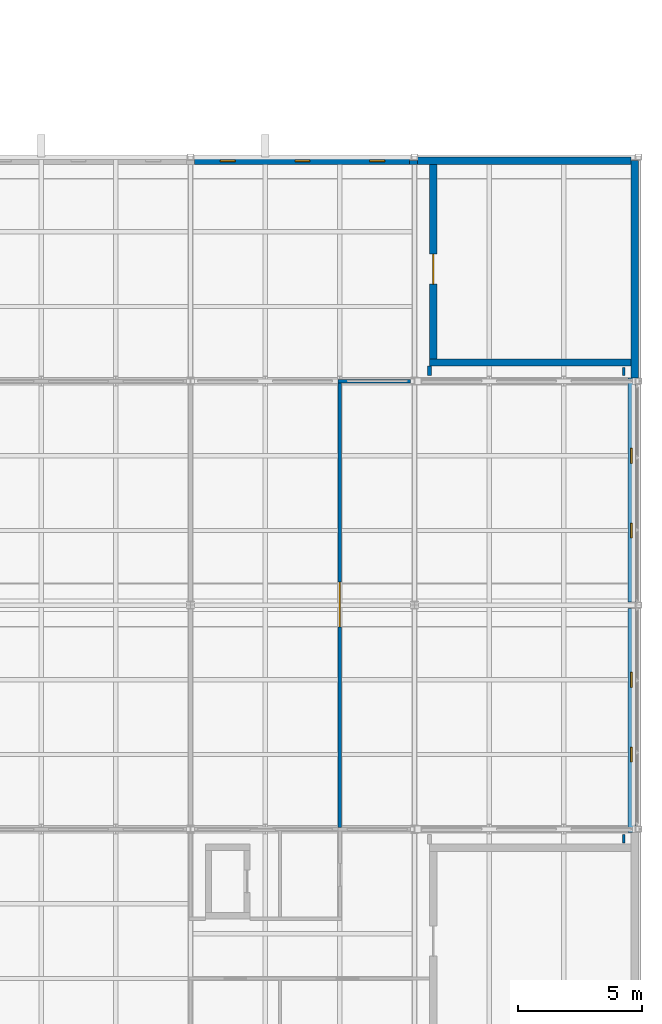
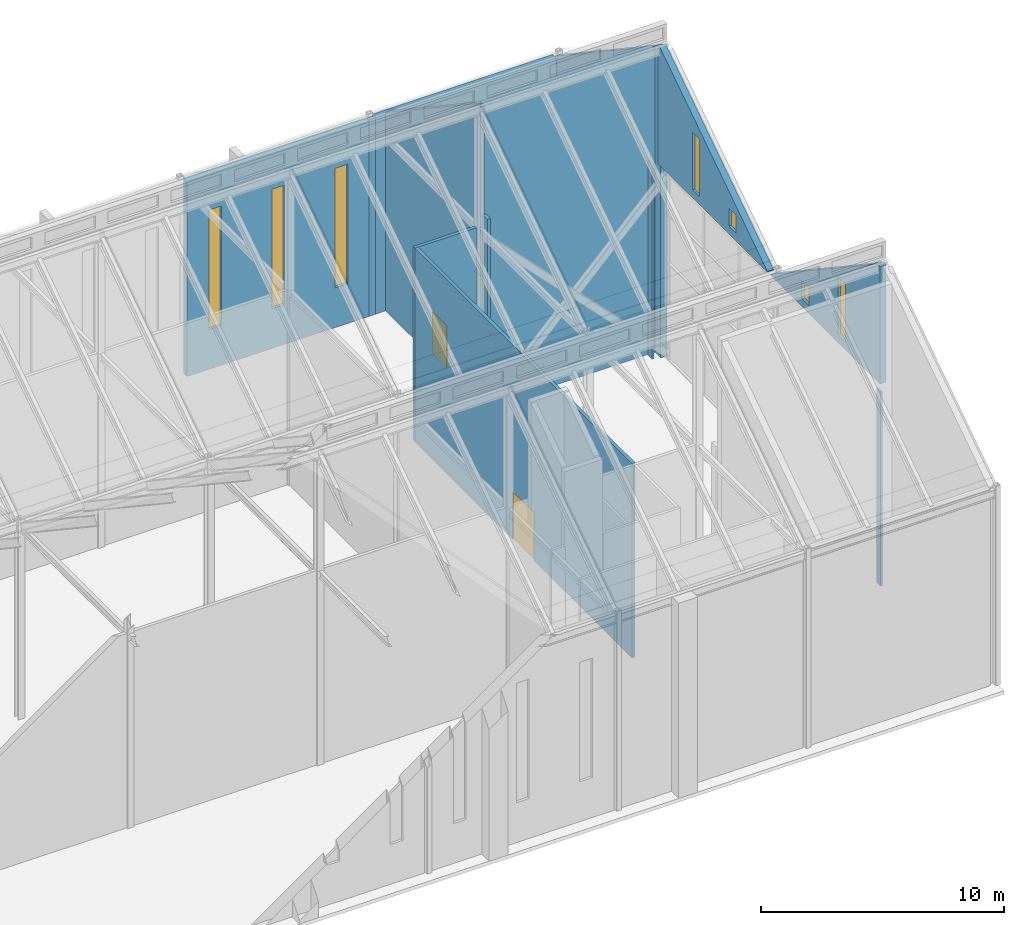
# One storey, part 96 of 111: 13 walls, 7 windows, 2 doors, 9 openings.
"""IFC4 building model written with IfcOpenShell, lengths in metres."""

from ifc_helpers import new_model, si_unit, direction, frame, frame_2d, origin, place, context, subcontext, project, spatial, polyline, rectangle, outline, extrude, material, layer, layer_set, type_object, element, fill, save


model = new_model("IFC4")

# Units and contexts
model_context = context("Model", 3, precision=1e-05, world=origin(), true_north=direction((0.0, 1.0)))
body_context = subcontext(model_context, "Body", "Model", "MODEL_VIEW")
ifc_project = project(units=[si_unit("LENGTHUNIT", "METRE"), si_unit("AREAUNIT", "SQUARE_METRE"), si_unit("VOLUMEUNIT", "CUBIC_METRE"), si_unit("PLANEANGLEUNIT", "RADIAN"), si_unit("MASSUNIT", "GRAM", prefix="KILO")], contexts=[model_context])

# Site, building, storey
site_placement = place(None, origin())
site = spatial("IfcSite", under=ifc_project, at=site_placement, CompositionType="ELEMENT")
building_placement = place(site_placement, origin())
building = spatial("IfcBuilding", under=site, at=building_placement, Name="Shorebreak Coast Museum", CompositionType="ELEMENT")
storey_placement = place(building_placement, frame((0.0, 0.0, 16.0)))
storey = spatial("IfcBuildingStorey", under=building, at=storey_placement, Name="L03", CompositionType="ELEMENT", Elevation=16.0)

# Walls
ifc_material_1 = material(Name="Concrete N50 (50 MPa)", Category="concrete")
ifc_layer_1 = layer(ifc_material_1, 0.175048828125)
ifc_layer_set_1 = layer_set([ifc_layer_1], Name="Concrete N50 (50 MPa)")
wall_type_1 = type_object("IfcWallType", Name="Column closure panel 175", PredefinedType="SOLIDWALL", material=ifc_layer_set_1)
wall_1_placement = place(storey_placement, frame((161.802978515625, 89.78759765625, 0.0), z_axis=(0.0, 0.0, 1.0), x_axis=(1.0, 0.0, 0.0)))
element("IfcWall", 1, at=wall_1_placement, inside=storey, type_object=wall_type_1, Name="Column closure panel L03 N 19L", PredefinedType="SOLIDWALL", context=body_context, shape_type="SweptSolid", body=[
    extrude(rectangle(XDim=0.322021484375, YDim=0.175048828125, at=frame_2d((0.1611328125, 0.0))), origin(), (0.0, 0.0, 1.0), 9.859619140625),
])
ifc_material_2 = material(Name="Plasterboard on steel stud", Category="steel")
ifc_layer_2 = layer(ifc_material_2, 0.14990234375)
ifc_layer_set_2 = layer_set([ifc_layer_2], Name="Plasterboard on steel stud")
wall_type_2 = type_object("IfcWallType", Name="Fire partition 150", PredefinedType="PARTITIONING", material=ifc_layer_set_2)
wall_2_placement = place(storey_placement, frame((158.925048828125, 81.0, 0.0), z_axis=(0.0, 0.0, 1.0), x_axis=(1.0, 0.0, 0.0)))
element("IfcWall", 2, at=wall_2_placement, inside=storey, type_object=wall_type_2, Name="Partition L03-015", PredefinedType="PARTITIONING", context=body_context, shape_type="SweptSolid", body=[
    extrude(rectangle(XDim=2.92236328125, YDim=0.14990234375, at=frame_2d((1.461181640625, 0.0))), origin(), (0.0, 0.0, 1.0), 9.760009765625),
])

# Wall, opening, door
wall_3_placement = place(storey_placement, frame((159.0, 63.074951171875, 0.0), z_axis=(0.0, 0.0, 1.0), x_axis=(0.0, 1.0, 0.0)))
wall_3 = element("IfcWall", 3, at=wall_3_placement, inside=storey, type_object=wall_type_2, Name="Partition L03-084", PredefinedType="PARTITIONING", context=body_context, shape_type="SweptSolid", body=[
    extrude(rectangle(XDim=17.85009765625, YDim=0.14990234375, at=frame_2d((8.925048828125, 0.0))), origin(), (0.0, 0.0, 1.0), 9.760009765625),
])
opening_1_placement = place(wall_3_placement, frame((8.050048828125, 0.0, 0.0)))
opening_1 = element("IfcOpeningElement", 4, at=opening_1_placement, cuts=wall_3, Name="Opening D3027", PredefinedType="OPENING", context=body_context, shape_type="SweptSolid", body=[
    extrude(rectangle(XDim=1.800048828125, YDim=2.39990234375, at=frame_2d((0.89990234375, 1.199951171875))), frame((0.0, 0.0849609375, 0.0), z_axis=(0.0, -1.0, 0.0), x_axis=(1.0, 0.0, 0.0)), (0.0, 0.0, 1.0), 0.169921875),
])
ifc_material_3 = material(Name="Steel", Category="steel")
door_type_1 = type_object("IfcDoorType", Name="Fire door 1800x2400 60", OperationType="DOUBLE_DOOR_SINGLE_SWING", PredefinedType="DOOR", material=ifc_material_3)
door_1_placement = place(opening_1_placement, origin())
door_1 = element("IfcDoor", 5, at=door_1_placement, inside=storey, type_object=door_type_1, Name="Door D3027 Top-lit Gallery 3.02", OperationType="DOUBLE_DOOR_SINGLE_SWING", OverallHeight=2.39990234375, OverallWidth=1.800048828125, PredefinedType="DOOR", context=body_context, shape_type="SweptSolid", body=[
    extrude(rectangle(XDim=1.800048828125, YDim=2.39990234375, at=frame_2d((0.89990234375, 1.199951171875))), frame((0.0, 0.02490234375, 0.0), z_axis=(0.0, -1.0, 0.0), x_axis=(1.0, 0.0, 0.0)), (0.0, 0.0, 1.0), 0.050048828125),
])
fill(opening_1, door_1)

# Wall
wall_4_placement = place(storey_placement, frame((162.60009765625, 81.219970703125, 0.0), z_axis=(0.0, 0.0, 1.0), x_axis=(0.0, 1.0, 0.0)))
element("IfcWall", 6, at=wall_4_placement, inside=storey, type_object=wall_type_2, Name="Partition L03-086", PredefinedType="PARTITIONING", context=body_context, shape_type="SweptSolid", body=[
    extrude(rectangle(XDim=0.380126953125, YDim=0.14990234375, at=frame_2d((0.18994140625, 0.0))), origin(), (0.0, 0.0, 1.0), 9.760009765625),
])

# Wall, openings, windows
ifc_material_4 = material(Name="Concrete N50 (50 MPa)", Category="concrete")
ifc_layer_3 = layer(ifc_material_4, 0.300048828125)
ifc_layer_set_3 = layer_set([ifc_layer_3], Name="Concrete N50 (50 MPa)")
wall_type_3 = type_object("IfcWallType", Name="Gable tympanum panel 300", PredefinedType="SOLIDWALL", material=ifc_layer_set_3)
wall_5_placement = place(storey_placement, frame((170.72509765625, 62.875, 9.800048828125), z_axis=(0.0, 0.0, 1.0), x_axis=(0.0, 1.0, 0.0)))
wall_5 = element("IfcWall", 7, at=wall_5_placement, inside=storey, type_object=wall_type_3, Name="Gable tympanum FOLD-E-171-1", PredefinedType="SOLIDWALL", context=body_context, shape_type="SweptSolid", body=[
    extrude(outline(polyline([(0.0, 0.0), (9.0, 0.0), (9.0, 0.04296875), (0.125, 5.95947265625), (0.0, 5.876220703125), (0.0, 0.0)])), frame((0.0, 0.14990234375, 0.0), z_axis=(0.0, -1.0, 0.0), x_axis=(1.0, 0.0, 0.0)), (0.0, 0.0, 1.0), 0.300048828125),
])
opening_2_placement = place(wall_5_placement, frame((2.824951171875, 0.0, 0.39990234375)))
opening_2 = element("IfcOpeningElement", 8, at=opening_2_placement, cuts=wall_5, Name="Opening GW3001", PredefinedType="OPENING", context=body_context, shape_type="SweptSolid", body=[
    extrude(rectangle(XDim=0.60009765625, YDim=2.89990234375, at=frame_2d((0.300048828125, 1.449951171875))), frame((0.0, 0.159912109375, 0.0), z_axis=(0.0, -1.0, 0.0), x_axis=(1.0, 0.0, 0.0)), (0.0, 0.0, 1.0), 0.320068359375),
])
opening_3_placement = place(wall_5_placement, frame((5.824951171875, 0.0, 0.39990234375)))
opening_3 = element("IfcOpeningElement", 9, at=opening_3_placement, cuts=wall_5, Name="Opening GW3002", PredefinedType="OPENING", context=body_context, shape_type="SweptSolid", body=[
    extrude(rectangle(XDim=0.60009765625, YDim=0.89990234375, at=frame_2d((0.300048828125, 0.449951171875))), frame((0.0, 0.159912109375, 0.0), z_axis=(0.0, -1.0, 0.0), x_axis=(1.0, 0.0, 0.0)), (0.0, 0.0, 1.0), 0.320068359375),
])
ifc_material_5 = material(Name="Aluminium", Category="aluminium")
window_type_1 = type_object("IfcWindowType", Name="Gable slot window 600 x 2900", PartitioningType="SINGLE_PANEL", PredefinedType="WINDOW", material=ifc_material_5)
window_1_placement = place(opening_2_placement, origin())
window_1 = element("IfcWindow", 10, at=window_1_placement, inside=storey, type_object=window_type_1, Name="Window GW3001", OverallHeight=2.89990234375, OverallWidth=0.60009765625, PartitioningType="SINGLE_PANEL", PredefinedType="WINDOW", context=body_context, shape_type="SweptSolid", body=[
    extrude(rectangle(XDim=0.60009765625, YDim=2.89990234375, at=frame_2d((0.300048828125, 1.449951171875))), frame((0.0, 0.030029296875, 0.0), z_axis=(0.0, -1.0, 0.0), x_axis=(1.0, 0.0, 0.0)), (0.0, 0.0, 1.0), 0.06005859375),
])
fill(opening_2, window_1)
ifc_material_6 = material(Name="Aluminium", Category="aluminium")
window_type_2 = type_object("IfcWindowType", Name="Gable slot window 600 x 900", PartitioningType="SINGLE_PANEL", PredefinedType="WINDOW", material=ifc_material_6)
window_2_placement = place(opening_3_placement, origin())
window_2 = element("IfcWindow", 11, at=window_2_placement, inside=storey, type_object=window_type_2, Name="Window GW3002", OverallHeight=0.89990234375, OverallWidth=0.60009765625, PartitioningType="SINGLE_PANEL", PredefinedType="WINDOW", context=body_context, shape_type="SweptSolid", body=[
    extrude(rectangle(XDim=0.60009765625, YDim=0.89990234375, at=frame_2d((0.300048828125, 0.449951171875))), frame((0.0, 0.030029296875, 0.0), z_axis=(0.0, -1.0, 0.0), x_axis=(1.0, 0.0, 0.0)), (0.0, 0.0, 1.0), 0.06005859375),
])
fill(opening_3, window_2)

wall_6_placement = place(storey_placement, frame((170.72509765625, 72.125, 9.800048828125), z_axis=(0.0, 0.0, 1.0), x_axis=(0.0, 1.0, 0.0)))
wall_6 = element("IfcWall", 12, at=wall_6_placement, inside=storey, type_object=wall_type_3, Name="Gable tympanum FOLD-E-171-2", PredefinedType="SOLIDWALL", context=body_context, shape_type="SweptSolid", body=[
    extrude(outline(polyline([(0.0, 0.0), (9.0, 0.0), (9.0, 5.876220703125), (8.875, 5.95947265625), (0.0, 0.04296875), (0.0, 0.0)])), frame((0.0, 0.14990234375, 0.0), z_axis=(0.0, -1.0, 0.0), x_axis=(1.0, 0.0, 0.0)), (0.0, 0.0, 1.0), 0.300048828125),
])
opening_4_placement = place(wall_6_placement, frame((2.574951171875, 0.0, 0.39990234375)))
opening_4 = element("IfcOpeningElement", 13, at=opening_4_placement, cuts=wall_6, Name="Opening GW3003", PredefinedType="OPENING", context=body_context, shape_type="SweptSolid", body=[
    extrude(rectangle(XDim=0.60009765625, YDim=0.89990234375, at=frame_2d((0.300048828125, 0.449951171875))), frame((0.0, 0.159912109375, 0.0), z_axis=(0.0, -1.0, 0.0), x_axis=(1.0, 0.0, 0.0)), (0.0, 0.0, 1.0), 0.320068359375),
])
opening_5_placement = place(wall_6_placement, frame((5.574951171875, 0.0, 0.39990234375)))
opening_5 = element("IfcOpeningElement", 14, at=opening_5_placement, cuts=wall_6, Name="Opening GW3004", PredefinedType="OPENING", context=body_context, shape_type="SweptSolid", body=[
    extrude(rectangle(XDim=0.60009765625, YDim=2.89990234375, at=frame_2d((0.300048828125, 1.449951171875))), frame((0.0, 0.159912109375, 0.0), z_axis=(0.0, -1.0, 0.0), x_axis=(1.0, 0.0, 0.0)), (0.0, 0.0, 1.0), 0.320068359375),
])
window_3_placement = place(opening_5_placement, origin())
window_3 = element("IfcWindow", 15, at=window_3_placement, inside=storey, type_object=window_type_1, Name="Window GW3004", OverallHeight=2.89990234375, OverallWidth=0.60009765625, PartitioningType="SINGLE_PANEL", PredefinedType="WINDOW", context=body_context, shape_type="SweptSolid", body=[
    extrude(rectangle(XDim=0.60009765625, YDim=2.89990234375, at=frame_2d((0.300048828125, 1.449951171875))), frame((0.0, 0.030029296875, 0.0), z_axis=(0.0, -1.0, 0.0), x_axis=(1.0, 0.0, 0.0)), (0.0, 0.0, 1.0), 0.06005859375),
])
fill(opening_5, window_3)
window_4_placement = place(opening_4_placement, origin())
window_4 = element("IfcWindow", 16, at=window_4_placement, inside=storey, type_object=window_type_2, Name="Window GW3003", OverallHeight=0.89990234375, OverallWidth=0.60009765625, PartitioningType="SINGLE_PANEL", PredefinedType="WINDOW", context=body_context, shape_type="SweptSolid", body=[
    extrude(rectangle(XDim=0.60009765625, YDim=0.89990234375, at=frame_2d((0.300048828125, 0.449951171875))), frame((0.0, 0.030029296875, 0.0), z_axis=(0.0, -1.0, 0.0), x_axis=(1.0, 0.0, 0.0)), (0.0, 0.0, 1.0), 0.06005859375),
])
fill(opening_4, window_4)

# Walls
ifc_material_7 = material(Name="Plasterboard on steel stud", Category="steel")
ifc_layer_4 = layer(ifc_material_7, 0.10009765625)
ifc_layer_set_4 = layer_set([ifc_layer_4], Name="Plasterboard on steel stud")
wall_type_4 = type_object("IfcWallType", Name="Partition 100", PredefinedType="PARTITIONING", material=ifc_layer_set_4)
for number, where, z_axis, x_axis, name in (
    (17, (170.39990234375, 62.449951171875, 0.0), (0.0, 0.0, 1.0), (0.0, 1.0, 0.0), "Partition L03-087"),
    (18, (170.39990234375, 81.219970703125, 0.0), (0.0, 0.0, 1.0), (0.0, 1.0, 0.0), "Partition L03-088"),
):
    element("IfcWall", number, at=place(storey_placement, frame(where, z_axis=z_axis, x_axis=x_axis)), inside=storey, type_object=wall_type_4, Name=name, PredefinedType="PARTITIONING", context=body_context, shape_type="SweptSolid", body=[
        extrude(rectangle(XDim=0.330078125, YDim=0.10009765625, at=frame_2d((0.1650390625, 0.0))), origin(), (0.0, 0.0, 1.0), 9.760009765625),
    ])

# Wall, openings, windows
ifc_material_8 = material(Name="Concrete N50 (50 MPa)", Category="concrete")
ifc_layer_5 = layer(ifc_material_8, 0.300048828125)
ifc_layer_set_5 = layer_set([ifc_layer_5], Name="Concrete N50 (50 MPa)")
wall_type_5 = type_object("IfcWallType", Name="Precast board-marked panel 300", PredefinedType="SOLIDWALL", material=ifc_layer_set_5)
wall_7_placement = place(storey_placement, frame((153.160888671875, 89.85009765625, 0.0), z_axis=(0.0, 0.0, 1.0), x_axis=(1.0, 0.0, 0.0)))
wall_7 = element("IfcWall", 19, at=wall_7_placement, inside=storey, type_object=wall_type_5, Name="External wall L03 N 18L", PredefinedType="SOLIDWALL", context=body_context, shape_type="SweptSolid", body=[
    extrude(rectangle(XDim=8.64208984375, YDim=0.300048828125, at=frame_2d((4.321044921875, 0.0))), origin(), (0.0, 0.0, 1.0), 9.800048828125),
])
opening_6_placement = place(wall_7_placement, frame((1.0390625, 0.0, 2.0)))
opening_6 = element("IfcOpeningElement", 20, at=opening_6_placement, cuts=wall_7, Name="Opening WN3017", PredefinedType="OPENING", context=body_context, shape_type="SweptSolid", body=[
    extrude(rectangle(XDim=0.60009765625, YDim=6.0, at=frame_2d((0.300048828125, 3.0))), frame((0.0, 0.159912109375, 0.0), z_axis=(0.0, -1.0, 0.0), x_axis=(1.0, 0.0, 0.0)), (0.0, 0.0, 1.0), 0.320068359375),
])
opening_7_placement = place(wall_7_placement, frame((4.0390625, 0.0, 2.0)))
opening_7 = element("IfcOpeningElement", 21, at=opening_7_placement, cuts=wall_7, Name="Opening WN3018", PredefinedType="OPENING", context=body_context, shape_type="SweptSolid", body=[
    extrude(rectangle(XDim=0.60009765625, YDim=6.0, at=frame_2d((0.300048828125, 3.0))), frame((0.0, 0.159912109375, 0.0), z_axis=(0.0, -1.0, 0.0), x_axis=(1.0, 0.0, 0.0)), (0.0, 0.0, 1.0), 0.320068359375),
])
opening_8_placement = place(wall_7_placement, frame((7.0390625, 0.0, 2.0)))
opening_8 = element("IfcOpeningElement", 22, at=opening_8_placement, cuts=wall_7, Name="Opening WN3019", PredefinedType="OPENING", context=body_context, shape_type="SweptSolid", body=[
    extrude(rectangle(XDim=0.60009765625, YDim=6.0, at=frame_2d((0.300048828125, 3.0))), frame((0.0, 0.159912109375, 0.0), z_axis=(0.0, -1.0, 0.0), x_axis=(1.0, 0.0, 0.0)), (0.0, 0.0, 1.0), 0.320068359375),
])
ifc_material_9 = material(Name="Aluminium", Category="aluminium")
window_type_3 = type_object("IfcWindowType", Name="Hall slot window 600 x 6000", PartitioningType="SINGLE_PANEL", PredefinedType="WINDOW", material=ifc_material_9)
window_5_placement = place(opening_6_placement, origin())
window_5 = element("IfcWindow", 23, at=window_5_placement, inside=storey, type_object=window_type_3, Name="Window WN3017", OverallHeight=6.0, OverallWidth=0.60009765625, PartitioningType="SINGLE_PANEL", PredefinedType="WINDOW", context=body_context, shape_type="SweptSolid", body=[
    extrude(rectangle(XDim=0.60009765625, YDim=6.0, at=frame_2d((0.300048828125, 3.0))), frame((0.0, 0.030029296875, 0.0), z_axis=(0.0, -1.0, 0.0), x_axis=(1.0, 0.0, 0.0)), (0.0, 0.0, 1.0), 0.06005859375),
])
fill(opening_6, window_5)
window_6_placement = place(opening_7_placement, origin())
window_6 = element("IfcWindow", 24, at=window_6_placement, inside=storey, type_object=window_type_3, Name="Window WN3018", OverallHeight=6.0, OverallWidth=0.60009765625, PartitioningType="SINGLE_PANEL", PredefinedType="WINDOW", context=body_context, shape_type="SweptSolid", body=[
    extrude(rectangle(XDim=0.60009765625, YDim=6.0, at=frame_2d((0.300048828125, 3.0))), frame((0.0, 0.030029296875, 0.0), z_axis=(0.0, -1.0, 0.0), x_axis=(1.0, 0.0, 0.0)), (0.0, 0.0, 1.0), 0.06005859375),
])
fill(opening_7, window_6)
window_7_placement = place(opening_8_placement, origin())
window_7 = element("IfcWindow", 25, at=window_7_placement, inside=storey, type_object=window_type_3, Name="Window WN3019", OverallHeight=6.0, OverallWidth=0.60009765625, PartitioningType="SINGLE_PANEL", PredefinedType="WINDOW", context=body_context, shape_type="SweptSolid", body=[
    extrude(rectangle(XDim=0.60009765625, YDim=6.0, at=frame_2d((0.300048828125, 3.0))), frame((0.0, 0.030029296875, 0.0), z_axis=(0.0, -1.0, 0.0), x_axis=(1.0, 0.0, 0.0)), (0.0, 0.0, 1.0), 0.06005859375),
])
fill(opening_8, window_7)

# Walls
ifc_material_10 = material(Name="Concrete N50 (50 MPa)", Category="concrete")
ifc_layer_6 = layer(ifc_material_10, 0.300048828125)
ifc_layer_set_6 = layer_set([ifc_layer_6], Name="Concrete N50 (50 MPa)")
wall_type_6 = type_object("IfcWallType", Name="RC wall 300", PredefinedType="SHEAR", material=ifc_layer_set_6)
wall_8_placement = place(storey_placement, frame((162.60009765625, 81.75, 0.0), z_axis=(0.0, 0.0, 1.0), x_axis=(1.0, 0.0, 0.0)))
element("IfcWall", 26, at=wall_8_placement, inside=storey, type_object=wall_type_6, Name="Stair core wall ST08 L03 S", PredefinedType="SHEAR", context=body_context, shape_type="SweptSolid", body=[
    extrude(rectangle(XDim=8.099853515625, YDim=0.300048828125, at=frame_2d((4.0498046875, 0.0))), origin(), (0.0, 0.0, 1.0), 15.259521484375),
])
wall_9_placement = place(storey_placement, frame((162.125, 89.85009765625, 0.0), z_axis=(0.0, 0.0, 1.0), x_axis=(1.0, 0.0, 0.0)))
element("IfcWall", 27, at=wall_9_placement, inside=storey, type_object=wall_type_6, Name="Stair core wall ST08 L03 N", PredefinedType="SHEAR", context=body_context, shape_type="SweptSolid", body=[
    extrude(rectangle(XDim=8.574951171875, YDim=0.300048828125, at=frame_2d((4.28759765625, 0.0))), origin(), (0.0, 0.0, 1.0), 9.859619140625),
])

# Wall, opening, door
wall_10_placement = place(storey_placement, frame((162.75, 81.89990234375, 0.0), z_axis=(0.0, 0.0, 1.0), x_axis=(0.0, 1.0, 0.0)))
wall_10 = element("IfcWall", 28, at=wall_10_placement, inside=storey, type_object=wall_type_6, Name="Stair core wall ST08 L03 W", PredefinedType="SHEAR", context=body_context, shape_type="SweptSolid", body=[
    extrude(outline(polyline([(0.0, 0.0), (7.800048828125, 0.0), (7.800048828125, 9.959716796875), (0.0, 15.15966796875), (0.0, 0.0)])), frame((0.0, 0.14990234375, 0.0), z_axis=(0.0, -1.0, 0.0), x_axis=(1.0, 0.0, 0.0)), (0.0, 0.0, 1.0), 0.300048828125),
])
opening_9_placement = place(wall_10_placement, frame((3.0, 0.0, 0.0)))
opening_9 = element("IfcOpeningElement", 29, at=opening_9_placement, cuts=wall_10, Name="Opening D3808", PredefinedType="OPENING", context=body_context, shape_type="SweptSolid", body=[
    extrude(rectangle(XDim=1.199951171875, YDim=2.10009765625, at=frame_2d((0.60009765625, 1.050048828125))), frame((0.0, 0.159912109375, 0.0), z_axis=(0.0, -1.0, 0.0), x_axis=(1.0, 0.0, 0.0)), (0.0, 0.0, 1.0), 0.320068359375),
])
ifc_material_11 = material(Name="Steel Grade 300", Category="steel")
door_type_2 = type_object("IfcDoorType", Name="Fire door 1200x2100", OperationType="SINGLE_SWING_LEFT", PredefinedType="DOOR", material=ifc_material_11)
door_2_placement = place(opening_9_placement, origin())
door_2 = element("IfcDoor", 30, at=door_2_placement, inside=storey, type_object=door_type_2, Name="Stair door ST08 L03", OperationType="SINGLE_SWING_LEFT", OverallHeight=2.10009765625, OverallWidth=1.199951171875, PredefinedType="DOOR", context=body_context, shape_type="SweptSolid", body=[
    extrude(rectangle(XDim=1.199951171875, YDim=2.10009765625, at=frame_2d((0.60009765625, 1.050048828125))), frame((0.0, 0.02490234375, 0.0), z_axis=(0.0, -1.0, 0.0), x_axis=(1.0, 0.0, 0.0)), (0.0, 0.0, 1.0), 0.050048828125),
])
fill(opening_9, door_2)

# Wall
wall_11_placement = place(storey_placement, frame((170.85009765625, 81.125, 0.0), z_axis=(0.0, 0.0, 1.0), x_axis=(0.0, 1.0, 0.0)))
element("IfcWall", 31, at=wall_11_placement, inside=storey, type_object=wall_type_6, Name="Stair core wall ST08 L03 E", PredefinedType="SHEAR", context=body_context, shape_type="SweptSolid", body=[
    extrude(outline(polyline([(0.0, 0.0), (8.75, 0.0), (8.75, 9.843017578125), (0.0, 15.67626953125), (0.0, 0.0)])), frame((0.0, 0.14990234375, 0.0), z_axis=(0.0, -1.0, 0.0), x_axis=(1.0, 0.0, 0.0)), (0.0, 0.0, 1.0), 0.300048828125),
])

save(model, "model.ifc")
